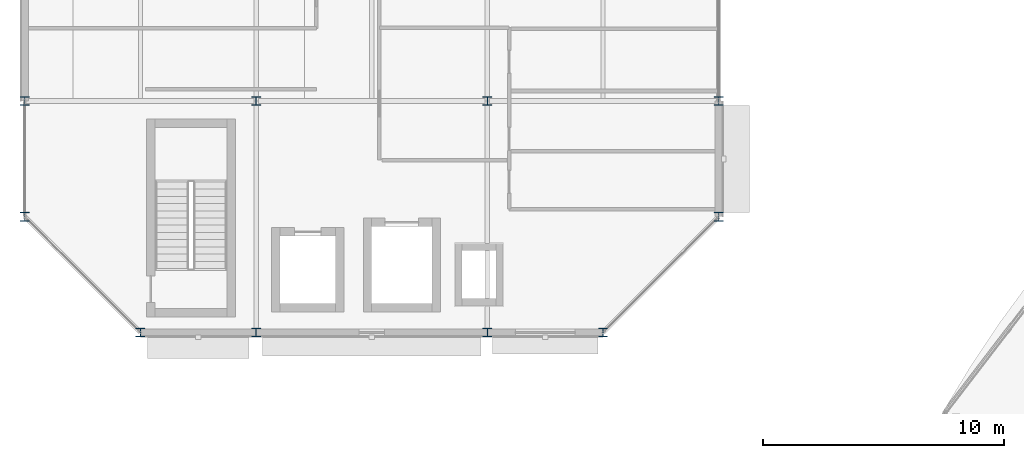
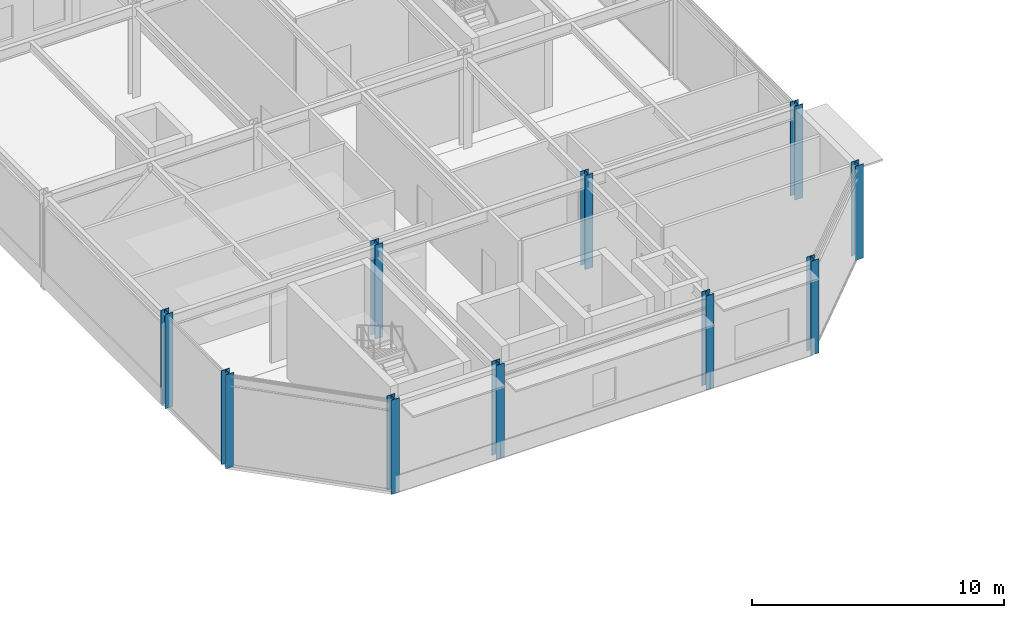
# One storey, part 7 of 116: 10 columns.
"""IFC4 building model written with IfcOpenShell, lengths in metres."""

from ifc_helpers import new_model, si_unit, direction, frame, origin, origin_2d, place, context, subcontext, project, spatial, i_section, extrude, material, material_profile, profile_set, type_object, element, save


model = new_model("IFC4")

# Units and contexts
model_context = context("Model", 3, precision=1e-05, world=origin(), true_north=direction((0.0, 1.0)))
body_context = subcontext(model_context, "Body", "Model", "MODEL_VIEW")
ifc_project = project(units=[si_unit("LENGTHUNIT", "METRE"), si_unit("AREAUNIT", "SQUARE_METRE"), si_unit("VOLUMEUNIT", "CUBIC_METRE"), si_unit("PLANEANGLEUNIT", "RADIAN"), si_unit("MASSUNIT", "GRAM", prefix="KILO")], contexts=[model_context])

# Site, building, storey
site_placement = place(None, origin())
site = spatial("IfcSite", under=ifc_project, at=site_placement, CompositionType="ELEMENT")
building_placement = place(site_placement, origin())
building = spatial("IfcBuilding", under=site, at=building_placement, Name="Almandine Court Research Institute", CompositionType="ELEMENT")
storey_placement = place(building_placement, frame((0.0, 0.0, 14.35009765625)))
storey = spatial("IfcBuildingStorey", under=building, at=storey_placement, Name="L03", CompositionType="ELEMENT", Elevation=14.35009765625)

# Columns
ifc_material = material(Name="Steel ASTM A992 Grade 50", Category="steel")
ifc_material_profile_1 = material_profile(ifc_material, i_section(OverallWidth=0.3701171875, OverallDepth=0.360107421875, WebThickness=0.013916015625, FlangeThickness=0.02197265625, at=origin_2d()), Name="W360x147")
ifc_profile_set_1 = profile_set([ifc_material_profile_1], Name="Steel ASTM A992 Grade 50")
column_type_1 = type_object("IfcColumnType", Name="Col-C-W04", PredefinedType="COLUMN", material=ifc_profile_set_1)
for number, where, z_axis, x_axis, name in (
    (1, (15.60009765625, 93.60009765625, 0.0), (0.0, 0.0, 1.0), (1.0, 0.0, 0.0), "L03 V3 Column V3-X2Y2"),
    (2, (25.199951171875, 93.60009765625, 0.0), (0.0, 0.0, 1.0), (1.0, 0.0, 0.0), "L03 V3 Column V3-X3Y2"),
):
    element("IfcColumn", number, at=place(storey_placement, frame(where, z_axis=z_axis, x_axis=x_axis)), inside=storey, type_object=column_type_1, Name=name, PredefinedType="COLUMN", context=body_context, shape_type="SweptSolid", body=[
        extrude(i_section(OverallWidth=0.3701171875, OverallDepth=0.360107421875, WebThickness=0.013916015625, FlangeThickness=0.02197265625, at=origin_2d()), origin(), (0.0, 0.0, 1.0), 4.5498046875),
    ])
ifc_material_profile_2 = material_profile(ifc_material, i_section(OverallWidth=0.3701171875, OverallDepth=0.360107421875, WebThickness=0.013916015625, FlangeThickness=0.02197265625, at=origin_2d()), Name="W360x147")
ifc_profile_set_2 = profile_set([ifc_material_profile_2], Name="Steel ASTM A992 Grade 50")
column_type_2 = type_object("IfcColumnType", Name="Col-C-W04-E", PredefinedType="COLUMN", material=ifc_profile_set_2)
for number, where, z_axis, x_axis, name in (
    (3, (6.0, 93.60009765625, 0.0), (0.0, 0.0, 1.0), (1.0, 0.0, 0.0), "L03 V3 Column V3-X1Y2"),
    (4, (15.60009765625, 84.0, 0.0), (0.0, 0.0, 1.0), (1.0, 0.0, 0.0), "L03 V3 Column V3-X2Y1"),
    (5, (25.199951171875, 84.0, 0.0), (0.0, 0.0, 1.0), (1.0, 0.0, 0.0), "L03 V3 Column V3-X3Y1"),
    (6, (34.800048828125, 93.60009765625, 0.0), (0.0, 0.0, 1.0), (1.0, 0.0, 0.0), "L03 V3 Column V3-X4Y2"),
    (7, (10.800048828125, 84.0, 0.0), (0.0, 0.0, 1.0), (1.0, 0.0, 0.0), "L03 V3 Column V3-CH1"),
    (8, (30.0, 84.0, 0.0), (0.0, 0.0, 1.0), (1.0, 0.0, 0.0), "L03 V3 Column V3-CH2"),
    (9, (34.800048828125, 88.800048828125, 0.0), (0.0, 0.0, 1.0), (1.0, 0.0, 0.0), "L03 V3 Column V3-CH3"),
    (10, (6.0, 88.800048828125, 0.0), (0.0, 0.0, 1.0), (1.0, 0.0, 0.0), "L03 V3 Column V3-CH8"),
):
    element("IfcColumn", number, at=place(storey_placement, frame(where, z_axis=z_axis, x_axis=x_axis)), inside=storey, type_object=column_type_2, Name=name, PredefinedType="COLUMN", context=body_context, shape_type="SweptSolid", body=[
        extrude(i_section(OverallWidth=0.3701171875, OverallDepth=0.360107421875, WebThickness=0.013916015625, FlangeThickness=0.02197265625, at=origin_2d()), origin(), (0.0, 0.0, 1.0), 4.5498046875),
    ])

save(model, "model.ifc")
